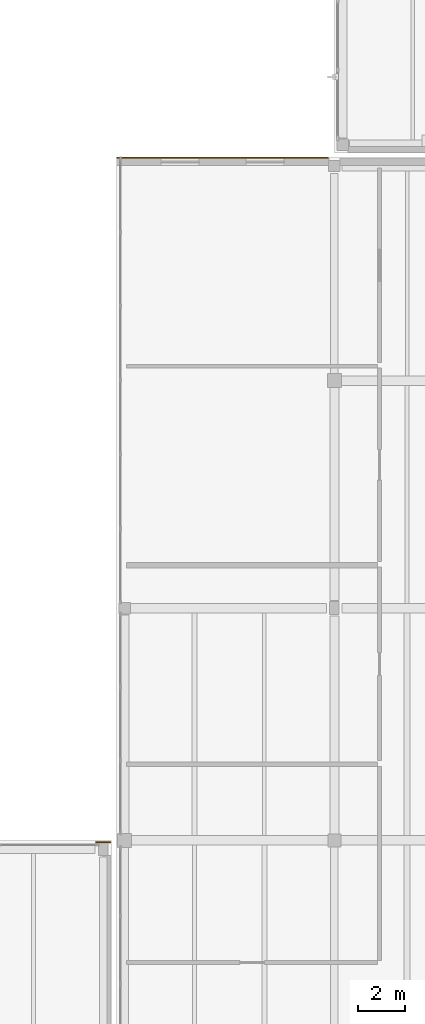
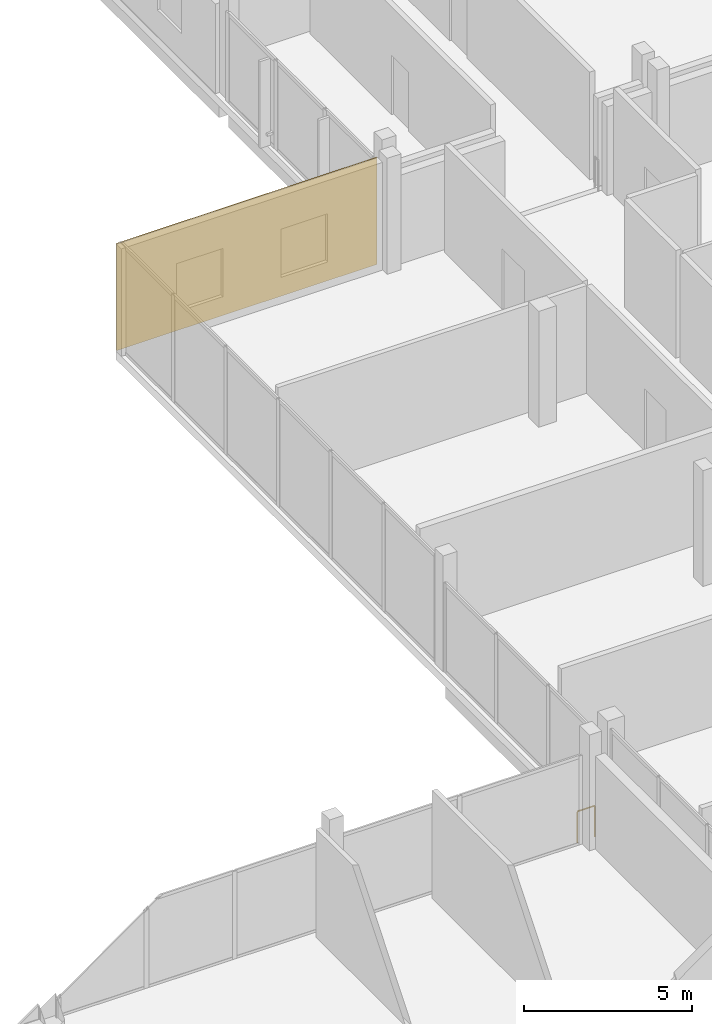
# One storey, part 60 of 66: 1 covering, 1 railing.
"""IFC4 building model written with IfcOpenShell, lengths in metres."""

import ifcopenshell
import ifcopenshell.guid

model = None  # the IFC model being written
_history = None  # IfcOwnerHistory: only IFC2X3 demands one
_inside = {}  # id of a spatial element -> (the spatial element, [elements in it])
_under = {}  # id of a project, library or spatial element -> (it, [spatial elements below it])
_declared = {}  # id of a project -> (the project, [libraries it declares])
_typed = {}  # id of a type object -> (the type object, [elements of that type])
_made_of = {}  # id of a material, layer set ... -> (it, [elements and type objects made of it])


def new_model(schema):
    """Start an empty IFC model of exactly this schema.

    Asked for "IFC4X3", IfcOpenShell would pick the latest addendum, in which some entities
    have other attributes; the version numbers below select the first issue.
    IFC2X3 requires an IfcOwnerHistory on every rooted entity: one is made here for all.
    """
    global model, _history
    if schema == "IFC4X3":
        model = ifcopenshell.file(schema_version=(4, 3, 0, 0))
    else:
        model = ifcopenshell.file(schema=schema)
    _inside.clear()
    _under.clear()
    _declared.clear()
    _typed.clear()
    _made_of.clear()
    _history = None
    if model.schema == "IFC2X3":
        org = make("IfcOrganization", Name="unknown")
        user = make(
            "IfcPersonAndOrganization",
            ThePerson=make("IfcPerson", FamilyName="unknown"),
            TheOrganization=org,
        )
        app = make(
            "IfcApplication",
            ApplicationDeveloper=org,
            Version="unknown",
            ApplicationFullName="unknown",
            ApplicationIdentifier="unknown",
        )
        _history = make(
            "IfcOwnerHistory",
            OwningUser=user,
            OwningApplication=app,
            ChangeAction="ADDED",
            CreationDate=0,
        )
    return model


def make(cls, **values):
    """One entity of the class cls with the attributes given. An attribute that is None is left unset."""
    return model.create_entity(
        cls, **{name: value for name, value in values.items() if value is not None}
    )


def rooted(cls, **values):
    """An entity with a GlobalId (a new one), such as an element, a storey or a relation."""
    return make(cls, GlobalId=ifcopenshell.guid.new(), OwnerHistory=_history, **values)


def si_unit(unit_type, name, prefix=None):
    """IfcSIUnit, for example si_unit("LENGTHUNIT", "METRE", prefix="MILLI")."""
    return make("IfcSIUnit", UnitType=unit_type, Prefix=prefix, Name=name)


def assignment(units):
    """IfcUnitAssignment: the units of a project."""
    return None if units is None else make("IfcUnitAssignment", Units=units)


def point(xyz):
    """IfcCartesianPoint."""
    return None if xyz is None else make("IfcCartesianPoint", Coordinates=xyz)


def direction(xyz):
    """IfcDirection."""
    return None if xyz is None else make("IfcDirection", DirectionRatios=xyz)


def frame(location, z_axis=None, x_axis=None):
    """IfcAxis2Placement3D, a coordinate frame: its origin and axes. An axis left out is left unset."""
    return make(
        "IfcAxis2Placement3D",
        Location=point(location),
        Axis=direction(z_axis),
        RefDirection=direction(x_axis),
    )


def frame_2d(location, x_axis=None):
    """IfcAxis2Placement2D, a coordinate frame in the plane: its origin and x axis."""
    return make(
        "IfcAxis2Placement2D", Location=point(location), RefDirection=direction(x_axis)
    )


def origin():
    """The frame at (0, 0, 0) with its axes left unset."""
    return frame((0.0, 0.0, 0.0))


def origin_2d():
    """The frame at (0, 0) in the plane with its x axis left unset."""
    return frame_2d((0.0, 0.0))


def place(relative_to, where):
    """IfcLocalPlacement: puts the frame where relative to a parent placement (None: the world)."""
    return make(
        "IfcLocalPlacement", PlacementRelTo=relative_to, RelativePlacement=where
    )


def context(
    kind, dimensions, precision=None, world=None, true_north=None, identifier=None
):
    """IfcGeometricRepresentationContext, for example the 3D "Model" context."""
    return make(
        "IfcGeometricRepresentationContext",
        ContextIdentifier=identifier,
        ContextType=kind,
        CoordinateSpaceDimension=dimensions,
        Precision=precision,
        WorldCoordinateSystem=world,
        TrueNorth=true_north,
    )


def subcontext(parent, identifier, kind, view, scale=None):
    """IfcGeometricRepresentationSubContext, for example "Body" below "Model"."""
    return make(
        "IfcGeometricRepresentationSubContext",
        ContextIdentifier=identifier,
        ContextType=kind,
        ParentContext=parent,
        TargetScale=scale,
        TargetView=view,
    )


def project(units=None, contexts=None):
    """IfcProject with its units and contexts."""
    return rooted(
        "IfcProject",
        Name="project",
        RepresentationContexts=contexts,
        UnitsInContext=assignment(units),
    )


def spatial(cls, under=None, at=None, **own):
    """A site, building, storey or space (cls), placed at a placement, below another one or the project."""
    s = rooted(cls, ObjectPlacement=at, **own)
    if under is not None:
        _under.setdefault(under.id(), (under, []))[1].append(s)
    return s


def profile(cls, at=None, kind="AREA", **sizes):
    """A parametric profile (cls). Its sizes go by their IFC names, for example OverallWidth=200.0."""
    return make(cls, ProfileType=kind, Position=at, **sizes)


def rectangle(**sizes):
    """IfcRectangleProfileDef."""
    return profile("IfcRectangleProfileDef", **sizes)


def circle(**sizes):
    """IfcCircleProfileDef."""
    return profile("IfcCircleProfileDef", **sizes)


def extrude(swept, where, along, depth):
    """IfcExtrudedAreaSolid: the profile swept, set in the frame where, extruded along a direction by depth."""
    return make(
        "IfcExtrudedAreaSolid",
        SweptArea=swept,
        Position=where,
        ExtrudedDirection=direction(along),
        Depth=depth,
    )


def shape(context_of_items, identifier, shape_type, items):
    """IfcShapeRepresentation: the items that make up one representation, for example the "Body"."""
    return make(
        "IfcShapeRepresentation",
        ContextOfItems=context_of_items,
        RepresentationIdentifier=identifier,
        RepresentationType=shape_type,
        Items=items,
    )


def material(Name=None, Category=None):
    """IfcMaterial."""
    return make("IfcMaterial", Name=Name, Category=Category)


def layer(
    of_material, thickness, ventilated=None, Name=None, Category=None, Priority=None
):
    """IfcMaterialLayer: one layer of a wall or slab, of a material (None: an air gap)."""
    return make(
        "IfcMaterialLayer",
        Material=of_material,
        LayerThickness=thickness,
        IsVentilated=ventilated,
        Name=Name,
        Category=Category,
        Priority=Priority,
    )


def layer_set(layers, Name=None):
    """IfcMaterialLayerSet."""
    return make("IfcMaterialLayerSet", MaterialLayers=layers, LayerSetName=Name)


def made_of(thing, what):
    """Note that an element or type object is made of a material, layer set ...; save() writes the relation."""
    if what is not None:
        _made_of.setdefault(what.id(), (what, []))[1].append(thing)
    return thing


def type_object(cls, material=None, **own):
    """A type object (cls), such as IfcWallType, which elements share."""
    return made_of(rooted(cls, **own), material)


def element(
    cls,
    number,
    at=None,
    inside=None,
    cuts=None,
    type_object=None,
    material=None,
    context=None,
    identifier="Body",
    shape_type=None,
    held_by="IfcProductDefinitionShape",
    body=None,
    shapes=None,
    **own,
):
    """One element of the class cls, such as IfcWall. Its Tag is "e" and its number.

    at: its placement. inside: the storey or other place that contains it. cuts: it is an
    opening in that element (IfcRelVoidsElement). A single representation is given by context,
    identifier, shape_type and body (its items); several are given by shapes. held_by: the class
    of the entity that holds the representations. save() writes the other relations.
    """
    e = rooted(cls, Tag="e%d" % number, ObjectPlacement=at, **own)
    if body is not None:
        shapes = [shape(context, identifier, shape_type, body)]
    if shapes is not None:
        e.Representation = make(held_by, Representations=shapes)
    if inside is not None:
        _inside.setdefault(inside.id(), (inside, []))[1].append(e)
    if cuts is not None:
        rooted(
            "IfcRelVoidsElement", RelatingBuildingElement=cuts, RelatedOpeningElement=e
        )
    if type_object is not None:
        _typed.setdefault(type_object.id(), (type_object, []))[1].append(e)
    return made_of(e, material)


def aggregate(whole, parts):
    """IfcRelAggregates: a whole, such as a stair, and the parts it consists of."""
    return rooted("IfcRelAggregates", RelatingObject=whole, RelatedObjects=parts)


def save(model, path):
    """Write the relations noted so far, then the file.

    IfcRelAggregates (storeys below a building ...), IfcRelContainedInSpatialStructure (elements
    in a storey), IfcRelDefinesByType, IfcRelAssociatesMaterial and IfcRelDeclares: one each for
    every whole, place, type object, material and project.
    """
    for whole, parts in _under.values():
        aggregate(whole, parts)
    for where, things in _inside.values():
        rooted(
            "IfcRelContainedInSpatialStructure",
            RelatedElements=things,
            RelatingStructure=where,
        )
    for kind, things in _typed.values():
        rooted("IfcRelDefinesByType", RelatedObjects=things, RelatingType=kind)
    for what, things in _made_of.values():
        rooted("IfcRelAssociatesMaterial", RelatedObjects=things, RelatingMaterial=what)
    for by, libraries in _declared.values():
        rooted("IfcRelDeclares", RelatingContext=by, RelatedDefinitions=libraries)
    model.write(path)


model = new_model("IFC4")

# Units and contexts
model_context = context("Model", 3, precision=1e-05, world=origin(), true_north=direction((0.0, 1.0)))
body_context = subcontext(model_context, "Body", "Model", "MODEL_VIEW")
ifc_project = project(units=[si_unit("LENGTHUNIT", "METRE"), si_unit("AREAUNIT", "SQUARE_METRE"), si_unit("VOLUMEUNIT", "CUBIC_METRE"), si_unit("PLANEANGLEUNIT", "RADIAN"), si_unit("MASSUNIT", "GRAM", prefix="KILO")], contexts=[model_context])

# Site, building, storey
site_placement = place(None, origin())
site = spatial("IfcSite", under=ifc_project, at=site_placement, CompositionType="ELEMENT")
building_placement = place(site_placement, origin())
building = spatial("IfcBuilding", under=site, at=building_placement, Name="Birchvale Park Specialist Clinic", CompositionType="ELEMENT")
storey_placement = place(building_placement, frame((0.0, 0.0, 5.39990234375)))
storey = spatial("IfcBuildingStorey", under=building, at=storey_placement, Name="L01", CompositionType="ELEMENT", Elevation=5.39990234375)

# Covering
ifc_material_1 = material(Name="Nordic larch vertical rainscreen cladding")
ifc_layer = layer(ifc_material_1, 0.044921875)
ifc_layer_set = layer_set([ifc_layer], Name="Nordic larch vertical rainscreen cladding")
covering_type = type_object("IfcCoveringType", Name="COV-CL1", PredefinedType="CLADDING", material=ifc_layer_set)
covering_placement = place(storey_placement, frame((123.282470703125, 63.402587890625, 0.02001953125), z_axis=(0.0, 0.0, 1.0), x_axis=(-1.0, 0.0, 0.0)))
element("IfcCovering", 1, at=covering_placement, inside=storey, type_object=covering_type, Name="V5 L01 Nordic larch cladding 13", PredefinedType="CLADDING", context=body_context, shape_type="SweptSolid", body=[
    extrude(rectangle(XDim=8.925048828125, YDim=0.044921875, at=origin_2d()), origin(), (0.0, 0.0, 1.0), 3.860107421875),
])

# Railing
ifc_material_2 = material(Name="Brushed stainless steel and laminated glass balustrade", Category="steel")
railing_type = type_object("IfcRailingType", Name="RL-BAL2", PredefinedType="BALUSTRADE", material=ifc_material_2)
railing_placement = place(storey_placement, frame((117.949951171875, 34.52001953125, 0.0)))
element("IfcRailing", 2, at=railing_placement, inside=storey, type_object=railing_type, Name="V4 L01 corner edge guard NE", PredefinedType="BALUSTRADE", context=body_context, shape_type="SweptSolid", body=[
    extrude(circle(Radius=0.02392578125, at=origin_2d()), frame((0.0, 0.0, 1.1259765625), z_axis=(1.0, 0.0, 0.0), x_axis=(0.0, 1.0, 0.0)), (0.0, 0.0, 1.0), 0.60009765625),
    extrude(circle(Radius=0.02099609375, at=origin_2d()), origin(), (0.0, 0.0, 1.0), 1.101806640625),
    extrude(circle(Radius=0.02099609375, at=origin_2d()), frame((0.60009765625, 0.0, 0.0)), (0.0, 0.0, 1.0), 1.101806640625),
])

save(model, "model.ifc")
